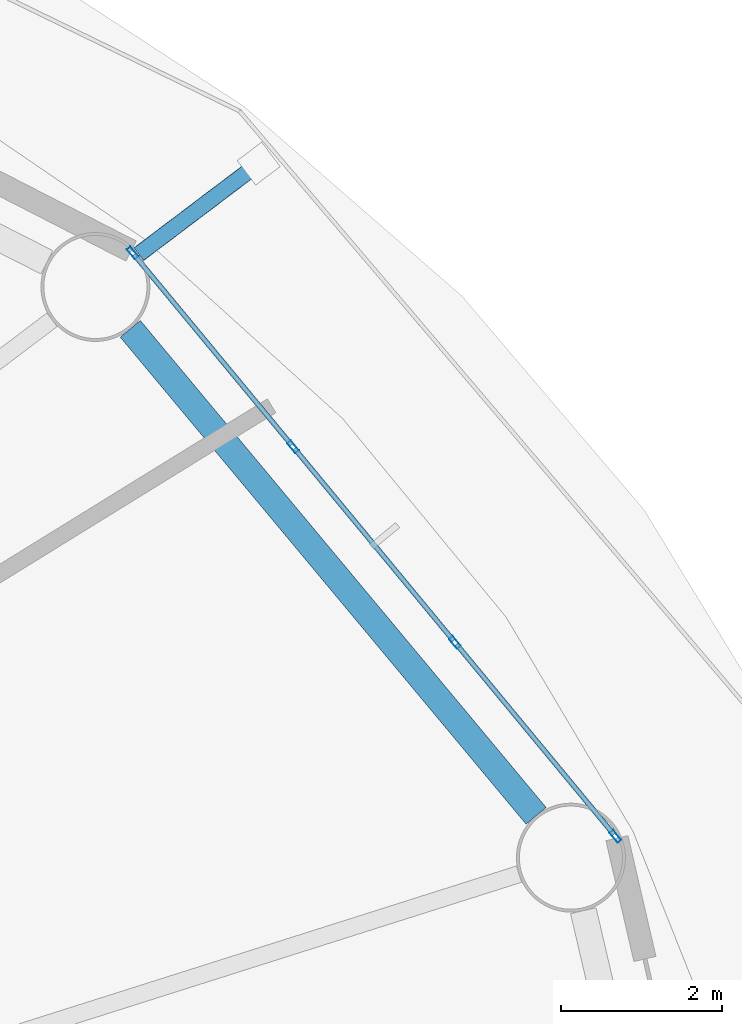
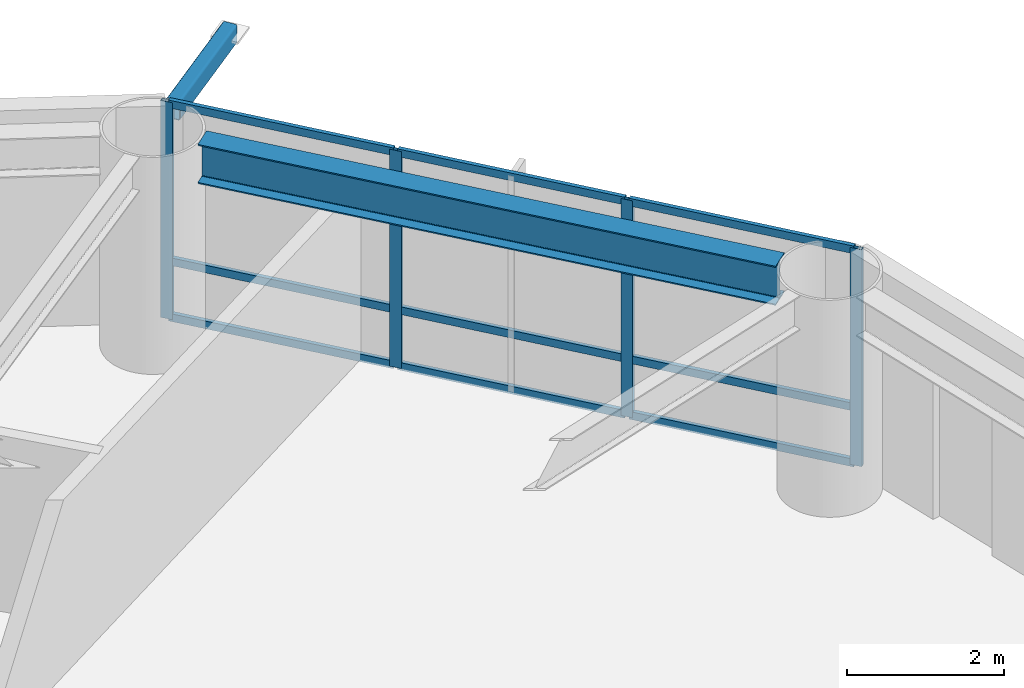
# One storey, part 12 of 24: 14 members, 1 beam, 1 element without a shape of its own.
"""IFC4 building model written with IfcOpenShell, lengths in metres."""

import ifcopenshell
import ifcopenshell.guid

model = None  # the IFC model being written
_history = None  # IfcOwnerHistory: only IFC2X3 demands one
_inside = {}  # id of a spatial element -> (the spatial element, [elements in it])
_under = {}  # id of a project, library or spatial element -> (it, [spatial elements below it])
_declared = {}  # id of a project -> (the project, [libraries it declares])
_typed = {}  # id of a type object -> (the type object, [elements of that type])
_made_of = {}  # id of a material, layer set ... -> (it, [elements and type objects made of it])


def new_model(schema):
    """Start an empty IFC model of exactly this schema.

    Asked for "IFC4X3", IfcOpenShell would pick the latest addendum, in which some entities
    have other attributes; the version numbers below select the first issue.
    IFC2X3 requires an IfcOwnerHistory on every rooted entity: one is made here for all.
    """
    global model, _history
    if schema == "IFC4X3":
        model = ifcopenshell.file(schema_version=(4, 3, 0, 0))
    else:
        model = ifcopenshell.file(schema=schema)
    _inside.clear()
    _under.clear()
    _declared.clear()
    _typed.clear()
    _made_of.clear()
    _history = None
    if model.schema == "IFC2X3":
        org = make("IfcOrganization", Name="unknown")
        user = make(
            "IfcPersonAndOrganization",
            ThePerson=make("IfcPerson", FamilyName="unknown"),
            TheOrganization=org,
        )
        app = make(
            "IfcApplication",
            ApplicationDeveloper=org,
            Version="unknown",
            ApplicationFullName="unknown",
            ApplicationIdentifier="unknown",
        )
        _history = make(
            "IfcOwnerHistory",
            OwningUser=user,
            OwningApplication=app,
            ChangeAction="ADDED",
            CreationDate=0,
        )
    return model


def make(cls, **values):
    """One entity of the class cls with the attributes given. An attribute that is None is left unset."""
    return model.create_entity(
        cls, **{name: value for name, value in values.items() if value is not None}
    )


def rooted(cls, **values):
    """An entity with a GlobalId (a new one), such as an element, a storey or a relation."""
    return make(cls, GlobalId=ifcopenshell.guid.new(), OwnerHistory=_history, **values)


def si_unit(unit_type, name, prefix=None):
    """IfcSIUnit, for example si_unit("LENGTHUNIT", "METRE", prefix="MILLI")."""
    return make("IfcSIUnit", UnitType=unit_type, Prefix=prefix, Name=name)


def assignment(units):
    """IfcUnitAssignment: the units of a project."""
    return None if units is None else make("IfcUnitAssignment", Units=units)


def point(xyz):
    """IfcCartesianPoint."""
    return None if xyz is None else make("IfcCartesianPoint", Coordinates=xyz)


def direction(xyz):
    """IfcDirection."""
    return None if xyz is None else make("IfcDirection", DirectionRatios=xyz)


def frame(location, z_axis=None, x_axis=None):
    """IfcAxis2Placement3D, a coordinate frame: its origin and axes. An axis left out is left unset."""
    return make(
        "IfcAxis2Placement3D",
        Location=point(location),
        Axis=direction(z_axis),
        RefDirection=direction(x_axis),
    )


def frame_2d(location, x_axis=None):
    """IfcAxis2Placement2D, a coordinate frame in the plane: its origin and x axis."""
    return make(
        "IfcAxis2Placement2D", Location=point(location), RefDirection=direction(x_axis)
    )


def origin():
    """The frame at (0, 0, 0) with its axes left unset."""
    return frame((0.0, 0.0, 0.0))


def origin_2d():
    """The frame at (0, 0) in the plane with its x axis left unset."""
    return frame_2d((0.0, 0.0))


def place(relative_to, where):
    """IfcLocalPlacement: puts the frame where relative to a parent placement (None: the world)."""
    return make(
        "IfcLocalPlacement", PlacementRelTo=relative_to, RelativePlacement=where
    )


def context(
    kind, dimensions, precision=None, world=None, true_north=None, identifier=None
):
    """IfcGeometricRepresentationContext, for example the 3D "Model" context."""
    return make(
        "IfcGeometricRepresentationContext",
        ContextIdentifier=identifier,
        ContextType=kind,
        CoordinateSpaceDimension=dimensions,
        Precision=precision,
        WorldCoordinateSystem=world,
        TrueNorth=true_north,
    )


def subcontext(parent, identifier, kind, view, scale=None):
    """IfcGeometricRepresentationSubContext, for example "Body" below "Model"."""
    return make(
        "IfcGeometricRepresentationSubContext",
        ContextIdentifier=identifier,
        ContextType=kind,
        ParentContext=parent,
        TargetScale=scale,
        TargetView=view,
    )


def project(units=None, contexts=None):
    """IfcProject with its units and contexts."""
    return rooted(
        "IfcProject",
        Name="project",
        RepresentationContexts=contexts,
        UnitsInContext=assignment(units),
    )


def spatial(cls, under=None, at=None, **own):
    """A site, building, storey or space (cls), placed at a placement, below another one or the project."""
    s = rooted(cls, ObjectPlacement=at, **own)
    if under is not None:
        _under.setdefault(under.id(), (under, []))[1].append(s)
    return s


def profile(cls, at=None, kind="AREA", **sizes):
    """A parametric profile (cls). Its sizes go by their IFC names, for example OverallWidth=200.0."""
    return make(cls, ProfileType=kind, Position=at, **sizes)


def hollow_rectangle(**sizes):
    """IfcRectangleHollowProfileDef."""
    return profile("IfcRectangleHollowProfileDef", **sizes)


def i_section(**sizes):
    """IfcIShapeProfileDef."""
    return profile("IfcIShapeProfileDef", **sizes)


def extrude(swept, where, along, depth):
    """IfcExtrudedAreaSolid: the profile swept, set in the frame where, extruded along a direction by depth."""
    return make(
        "IfcExtrudedAreaSolid",
        SweptArea=swept,
        Position=where,
        ExtrudedDirection=direction(along),
        Depth=depth,
    )


def shape(context_of_items, identifier, shape_type, items):
    """IfcShapeRepresentation: the items that make up one representation, for example the "Body"."""
    return make(
        "IfcShapeRepresentation",
        ContextOfItems=context_of_items,
        RepresentationIdentifier=identifier,
        RepresentationType=shape_type,
        Items=items,
    )


def material(Name=None, Category=None):
    """IfcMaterial."""
    return make("IfcMaterial", Name=Name, Category=Category)


def layer(
    of_material, thickness, ventilated=None, Name=None, Category=None, Priority=None
):
    """IfcMaterialLayer: one layer of a wall or slab, of a material (None: an air gap)."""
    return make(
        "IfcMaterialLayer",
        Material=of_material,
        LayerThickness=thickness,
        IsVentilated=ventilated,
        Name=Name,
        Category=Category,
        Priority=Priority,
    )


def layer_set(layers, Name=None):
    """IfcMaterialLayerSet."""
    return make("IfcMaterialLayerSet", MaterialLayers=layers, LayerSetName=Name)


def material_profile(
    of_material, cross_section, Name=None, Category=None, Priority=None
):
    """IfcMaterialProfile: a cross section and its material."""
    return make(
        "IfcMaterialProfile",
        Name=Name,
        Material=of_material,
        Profile=cross_section,
        Priority=Priority,
        Category=Category,
    )


def profile_set(profiles, Name=None, composite=None):
    """IfcMaterialProfileSet."""
    return make(
        "IfcMaterialProfileSet",
        Name=Name,
        MaterialProfiles=profiles,
        CompositeProfile=composite,
    )


def made_of(thing, what):
    """Note that an element or type object is made of a material, layer set ...; save() writes the relation."""
    if what is not None:
        _made_of.setdefault(what.id(), (what, []))[1].append(thing)
    return thing


def type_object(cls, material=None, **own):
    """A type object (cls), such as IfcWallType, which elements share."""
    return made_of(rooted(cls, **own), material)


def element(
    cls,
    number,
    at=None,
    inside=None,
    cuts=None,
    type_object=None,
    material=None,
    context=None,
    identifier="Body",
    shape_type=None,
    held_by="IfcProductDefinitionShape",
    body=None,
    shapes=None,
    **own,
):
    """One element of the class cls, such as IfcWall. Its Tag is "e" and its number.

    at: its placement. inside: the storey or other place that contains it. cuts: it is an
    opening in that element (IfcRelVoidsElement). A single representation is given by context,
    identifier, shape_type and body (its items); several are given by shapes. held_by: the class
    of the entity that holds the representations. save() writes the other relations.
    """
    e = rooted(cls, Tag="e%d" % number, ObjectPlacement=at, **own)
    if body is not None:
        shapes = [shape(context, identifier, shape_type, body)]
    if shapes is not None:
        e.Representation = make(held_by, Representations=shapes)
    if inside is not None:
        _inside.setdefault(inside.id(), (inside, []))[1].append(e)
    if cuts is not None:
        rooted(
            "IfcRelVoidsElement", RelatingBuildingElement=cuts, RelatedOpeningElement=e
        )
    if type_object is not None:
        _typed.setdefault(type_object.id(), (type_object, []))[1].append(e)
    return made_of(e, material)


def aggregate(whole, parts):
    """IfcRelAggregates: a whole, such as a stair, and the parts it consists of."""
    return rooted("IfcRelAggregates", RelatingObject=whole, RelatedObjects=parts)


def save(model, path):
    """Write the relations noted so far, then the file.

    IfcRelAggregates (storeys below a building ...), IfcRelContainedInSpatialStructure (elements
    in a storey), IfcRelDefinesByType, IfcRelAssociatesMaterial and IfcRelDeclares: one each for
    every whole, place, type object, material and project.
    """
    for whole, parts in _under.values():
        aggregate(whole, parts)
    for where, things in _inside.values():
        rooted(
            "IfcRelContainedInSpatialStructure",
            RelatedElements=things,
            RelatingStructure=where,
        )
    for kind, things in _typed.values():
        rooted("IfcRelDefinesByType", RelatedObjects=things, RelatingType=kind)
    for what, things in _made_of.values():
        rooted("IfcRelAssociatesMaterial", RelatedObjects=things, RelatingMaterial=what)
    for by, libraries in _declared.values():
        rooted("IfcRelDeclares", RelatingContext=by, RelatedDefinitions=libraries)
    model.write(path)


model = new_model("IFC4")

# Units and contexts
model_context = context("Model", 3, precision=1e-05, world=origin(), true_north=direction((0.0, 1.0)))
body_context = subcontext(model_context, "Body", "Model", "MODEL_VIEW")
ifc_project = project(units=[si_unit("LENGTHUNIT", "METRE"), si_unit("AREAUNIT", "SQUARE_METRE"), si_unit("VOLUMEUNIT", "CUBIC_METRE"), si_unit("PLANEANGLEUNIT", "RADIAN"), si_unit("MASSUNIT", "GRAM", prefix="KILO")], contexts=[model_context])

# Site, building, storey
site_placement = place(None, origin())
site = spatial("IfcSite", under=ifc_project, at=site_placement, CompositionType="ELEMENT")
building_placement = place(site_placement, origin())
building = spatial("IfcBuilding", under=site, at=building_placement, Name="Sarneth Arch Tower", CompositionType="ELEMENT")
storey_placement = place(building_placement, frame((0.0, 0.0, 91.199951171875)))
storey = spatial("IfcBuildingStorey", under=building, at=storey_placement, Name="L22", CompositionType="ELEMENT", Elevation=91.199951171875)

# Beam
ifc_material_1 = material(Name="Steel S355", Category="steel")
ifc_material_profile_1 = material_profile(ifc_material_1, i_section(OverallWidth=0.323974609375, OverallDepth=0.611083984375, WebThickness=0.0126953125, FlangeThickness=0.01904296875, FilletRadius=0.01904296875, at=origin_2d()), Name="W610x155")
ifc_profile_set_1 = profile_set([ifc_material_profile_1], Name="Steel S355")
beam_type = type_object("IfcBeamType", Name="BM-SPAN-610B", PredefinedType="SPANDREL", material=ifc_profile_set_1)
beam_placement = place(storey_placement, frame((73.859130859375, 50.861083984375, 3.074462890625), z_axis=(-0.640169116175, 0.768234015581, 0.0), x_axis=(-0.768234015581, -0.640169116175, 0.0)))
element("IfcBeam", 1, at=beam_placement, inside=storey, type_object=beam_type, Name="L22 Perimeter spandrel beam 02", PredefinedType="SPANDREL", context=body_context, shape_type="SweptSolid", body=[
    extrude(i_section(OverallWidth=0.323974609375, OverallDepth=0.611083984375, WebThickness=0.0126953125, FlangeThickness=0.01904296875, FilletRadius=0.01904296875, at=origin_2d()), origin(), (0.0, 0.0, 1.0), 7.856201171875),
])

# Curtain wall, members
ifc_material_2 = material(Name="Anodised aluminium Type AA25 and solar-control low-e laminated IGU", Category="aluminium")
ifc_layer = layer(ifc_material_2, 0.159912109375)
ifc_layer_set = layer_set([ifc_layer], Name="Anodised aluminium Type AA25 and solar-control low-e laminated IGU")
curtain_wall_type = type_object("IfcCurtainWallType", Name="CW-HOTEL-MID", PredefinedType="NOTDEFINED", material=ifc_layer_set)
curtain_wall_placement = place(storey_placement, origin())
curtain_wall = element("IfcCurtainWall", 2, at=curtain_wall_placement, inside=storey, type_object=curtain_wall_type, Name="L22 Unitised curtain wall facet 02", PredefinedType="NOTDEFINED")
ifc_material_3 = material(Name="Anodised Aluminium 6063-T6", Category="aluminium")
ifc_material_profile_2 = material_profile(ifc_material_3, hollow_rectangle(XDim=0.06005859375, YDim=0.159912109375, WallThickness=0.00390625, at=origin_2d()), Name="AL-MULL-160x60x4")
ifc_profile_set_2 = profile_set([ifc_material_profile_2], Name="Anodised Aluminium 6063-T6")
member_type_1 = type_object("IfcMemberType", Name="CW-MULLION", PredefinedType="MULLION", material=ifc_profile_set_2)
member_1_placement = place(storey_placement, frame((74.84228515625, 50.606689453125, 0.0), z_axis=(0.0, 0.0, 1.0), x_axis=(-0.770437787363, -0.637515188684, 0.0)))
member_1 = element("IfcMember", 3, at=member_1_placement, type_object=member_type_1, Name="CW-SYS-4 mullion 1", PredefinedType="MULLION", context=body_context, shape_type="SweptSolid", body=[
    extrude(hollow_rectangle(XDim=0.06005859375, YDim=0.159912109375, WallThickness=0.00390625, at=origin_2d()), origin(), (0.0, 0.0, 1.0), 3.380126953125),
])
member_2_placement = place(storey_placement, frame((72.854248046875, 53.00927734375, 0.0), z_axis=(0.0, 0.0, 1.0), x_axis=(-0.770437787363, -0.637515188684, 0.0)))
member_2 = element("IfcMember", 4, at=member_2_placement, type_object=member_type_1, Name="CW-SYS-4 mullion 2", PredefinedType="MULLION", context=body_context, shape_type="SweptSolid", body=[
    extrude(hollow_rectangle(XDim=0.06005859375, YDim=0.159912109375, WallThickness=0.00390625, at=origin_2d()), origin(), (0.0, 0.0, 1.0), 3.380126953125),
])
member_3_placement = place(storey_placement, frame((70.84716796875, 55.434814453125, 0.0), z_axis=(0.0, 0.0, 1.0), x_axis=(-0.770437787363, -0.637515188684, 0.0)))
member_3 = element("IfcMember", 5, at=member_3_placement, type_object=member_type_1, Name="CW-SYS-4 mullion 3", PredefinedType="MULLION", context=body_context, shape_type="SweptSolid", body=[
    extrude(hollow_rectangle(XDim=0.06005859375, YDim=0.159912109375, WallThickness=0.00390625, at=origin_2d()), origin(), (0.0, 0.0, 1.0), 3.380126953125),
])
member_4_placement = place(storey_placement, frame((68.859130859375, 57.83740234375, 0.0), z_axis=(0.0, 0.0, 1.0), x_axis=(-0.770437787363, -0.637515188684, 0.0)))
member_4 = element("IfcMember", 6, at=member_4_placement, type_object=member_type_1, Name="CW-SYS-4 mullion 4", PredefinedType="MULLION", context=body_context, shape_type="SweptSolid", body=[
    extrude(hollow_rectangle(XDim=0.06005859375, YDim=0.159912109375, WallThickness=0.00390625, at=origin_2d()), origin(), (0.0, 0.0, 1.0), 3.380126953125),
])
ifc_material_4 = material(Name="Anodised Aluminium 6063-T6", Category="aluminium")
ifc_material_profile_3 = material_profile(ifc_material_4, hollow_rectangle(XDim=0.06005859375, YDim=0.1201171875, WallThickness=0.00390625, at=origin_2d()), Name="AL-TRAN-120x60x4")
ifc_profile_set_3 = profile_set([ifc_material_profile_3], Name="Anodised Aluminium 6063-T6")
member_type_2 = type_object("IfcMemberType", Name="CW-TRANSOM", PredefinedType="USERDEFINED", material=ifc_profile_set_3)
member_5_placement = place(storey_placement, frame((74.8232421875, 50.6298828125, 0.030029296875), z_axis=(-0.637566080343, 0.770395673142, 0.0), x_axis=(-0.770395673142, -0.637566080343, 0.0)))
member_5 = element("IfcMember", 7, at=member_5_placement, type_object=member_type_2, Name="CW-SYS-4 transom 1.1", ObjectType="TRANSOM", PredefinedType="USERDEFINED", context=body_context, shape_type="SweptSolid", body=[
    extrude(hollow_rectangle(XDim=0.06005859375, YDim=0.1201171875, WallThickness=0.00390625, at=origin_2d()), origin(), (0.0, 0.0, 1.0), 3.058349609375),
])
member_6_placement = place(storey_placement, frame((74.8232421875, 50.6298828125, 0.900146484375), z_axis=(-0.637566080343, 0.770395673142, 0.0), x_axis=(-0.770395673142, -0.637566080343, 0.0)))
member_6 = element("IfcMember", 8, at=member_6_placement, type_object=member_type_2, Name="CW-SYS-4 transom 1.2", ObjectType="TRANSOM", PredefinedType="USERDEFINED", context=body_context, shape_type="SweptSolid", body=[
    extrude(hollow_rectangle(XDim=0.06005859375, YDim=0.1201171875, WallThickness=0.00390625, at=origin_2d()), origin(), (0.0, 0.0, 1.0), 3.058349609375),
])
member_7_placement = place(storey_placement, frame((74.8232421875, 50.6298828125, 3.35009765625), z_axis=(-0.637566080343, 0.770395673142, 0.0), x_axis=(-0.770395673142, -0.637566080343, 0.0)))
member_7 = element("IfcMember", 9, at=member_7_placement, type_object=member_type_2, Name="CW-SYS-4 transom 1.3", ObjectType="TRANSOM", PredefinedType="USERDEFINED", context=body_context, shape_type="SweptSolid", body=[
    extrude(hollow_rectangle(XDim=0.06005859375, YDim=0.1201171875, WallThickness=0.00390625, at=origin_2d()), origin(), (0.0, 0.0, 1.0), 3.058349609375),
])
member_8_placement = place(storey_placement, frame((72.835205078125, 53.0322265625, 0.030029296875), z_axis=(-0.637536975021, 0.770419759275, 0.0), x_axis=(-0.770419759275, -0.637536975021, 0.0)))
member_8 = element("IfcMember", 10, at=member_8_placement, type_object=member_type_2, Name="CW-SYS-4 transom 2.1", ObjectType="TRANSOM", PredefinedType="USERDEFINED", context=body_context, shape_type="SweptSolid", body=[
    extrude(hollow_rectangle(XDim=0.06005859375, YDim=0.1201171875, WallThickness=0.00390625, at=origin_2d()), origin(), (0.0, 0.0, 1.0), 3.08837890625),
])
member_9_placement = place(storey_placement, frame((72.835205078125, 53.0322265625, 0.900146484375), z_axis=(-0.637536975021, 0.770419759275, 0.0), x_axis=(-0.770419759275, -0.637536975021, 0.0)))
member_9 = element("IfcMember", 11, at=member_9_placement, type_object=member_type_2, Name="CW-SYS-4 transom 2.2", ObjectType="TRANSOM", PredefinedType="USERDEFINED", context=body_context, shape_type="SweptSolid", body=[
    extrude(hollow_rectangle(XDim=0.06005859375, YDim=0.1201171875, WallThickness=0.00390625, at=origin_2d()), origin(), (0.0, 0.0, 1.0), 3.08837890625),
])
member_10_placement = place(storey_placement, frame((72.835205078125, 53.0322265625, 3.35009765625), z_axis=(-0.637536975021, 0.770419759275, 0.0), x_axis=(-0.770419759275, -0.637536975021, 0.0)))
member_10 = element("IfcMember", 12, at=member_10_placement, type_object=member_type_2, Name="CW-SYS-4 transom 2.3", ObjectType="TRANSOM", PredefinedType="USERDEFINED", context=body_context, shape_type="SweptSolid", body=[
    extrude(hollow_rectangle(XDim=0.06005859375, YDim=0.1201171875, WallThickness=0.00390625, at=origin_2d()), origin(), (0.0, 0.0, 1.0), 3.08837890625),
])
member_11_placement = place(storey_placement, frame((70.828125, 55.4580078125, 0.030029296875), z_axis=(-0.637566080343, 0.770395673142, 0.0), x_axis=(-0.770395673142, -0.637566080343, 0.0)))
member_11 = element("IfcMember", 13, at=member_11_placement, type_object=member_type_2, Name="CW-SYS-4 transom 3.1", ObjectType="TRANSOM", PredefinedType="USERDEFINED", context=body_context, shape_type="SweptSolid", body=[
    extrude(hollow_rectangle(XDim=0.06005859375, YDim=0.1201171875, WallThickness=0.00390625, at=origin_2d()), origin(), (0.0, 0.0, 1.0), 3.058349609375),
])
member_12_placement = place(storey_placement, frame((70.828125, 55.4580078125, 0.900146484375), z_axis=(-0.637566080343, 0.770395673142, 0.0), x_axis=(-0.770395673142, -0.637566080343, 0.0)))
member_12 = element("IfcMember", 14, at=member_12_placement, type_object=member_type_2, Name="CW-SYS-4 transom 3.2", ObjectType="TRANSOM", PredefinedType="USERDEFINED", context=body_context, shape_type="SweptSolid", body=[
    extrude(hollow_rectangle(XDim=0.06005859375, YDim=0.1201171875, WallThickness=0.00390625, at=origin_2d()), origin(), (0.0, 0.0, 1.0), 3.058349609375),
])
member_13_placement = place(storey_placement, frame((70.828125, 55.4580078125, 3.35009765625), z_axis=(-0.637566080343, 0.770395673142, 0.0), x_axis=(-0.770395673142, -0.637566080343, 0.0)))
member_13 = element("IfcMember", 15, at=member_13_placement, type_object=member_type_2, Name="CW-SYS-4 transom 3.3", ObjectType="TRANSOM", PredefinedType="USERDEFINED", context=body_context, shape_type="SweptSolid", body=[
    extrude(hollow_rectangle(XDim=0.06005859375, YDim=0.1201171875, WallThickness=0.00390625, at=origin_2d()), origin(), (0.0, 0.0, 1.0), 3.058349609375),
])
aggregate(curtain_wall, [member_1, member_2, member_3, member_4, member_5, member_6, member_7, member_8, member_9, member_10, member_11, member_12, member_13])

# Member
ifc_material_5 = material(Name="Steel S355", Category="steel")
ifc_material_profile_4 = material_profile(ifc_material_5, hollow_rectangle(XDim=0.199951171875, YDim=0.300048828125, WallThickness=0.012451171875, InnerFilletRadius=0.018798828125, OuterFilletRadius=0.03125, at=origin_2d()), Name="RHS300x200x12.5")
ifc_profile_set_4 = profile_set([ifc_material_profile_4], Name="Steel S355")
member_type_3 = type_object("IfcMemberType", Name="MEM-CANT-STRUT", PredefinedType="STRUT", material=ifc_profile_set_4)
member_14_placement = place(storey_placement, frame((68.936279296875, 57.822021484375, 3.219970703125), z_axis=(0.797807041251, 0.602912866781, 0.0), x_axis=(-0.602912866781, 0.797807041251, 0.0)))
element("IfcMember", 16, at=member_14_placement, inside=storey, type_object=member_type_3, Name="L22 Balcony cantilever bracket 03", PredefinedType="STRUT", context=body_context, shape_type="SweptSolid", body=[
    extrude(hollow_rectangle(XDim=0.199951171875, YDim=0.300048828125, WallThickness=0.012451171875, InnerFilletRadius=0.018798828125, OuterFilletRadius=0.03125, at=origin_2d()), origin(), (0.0, 0.0, 1.0), 1.861572265625),
])

save(model, "model.ifc")
